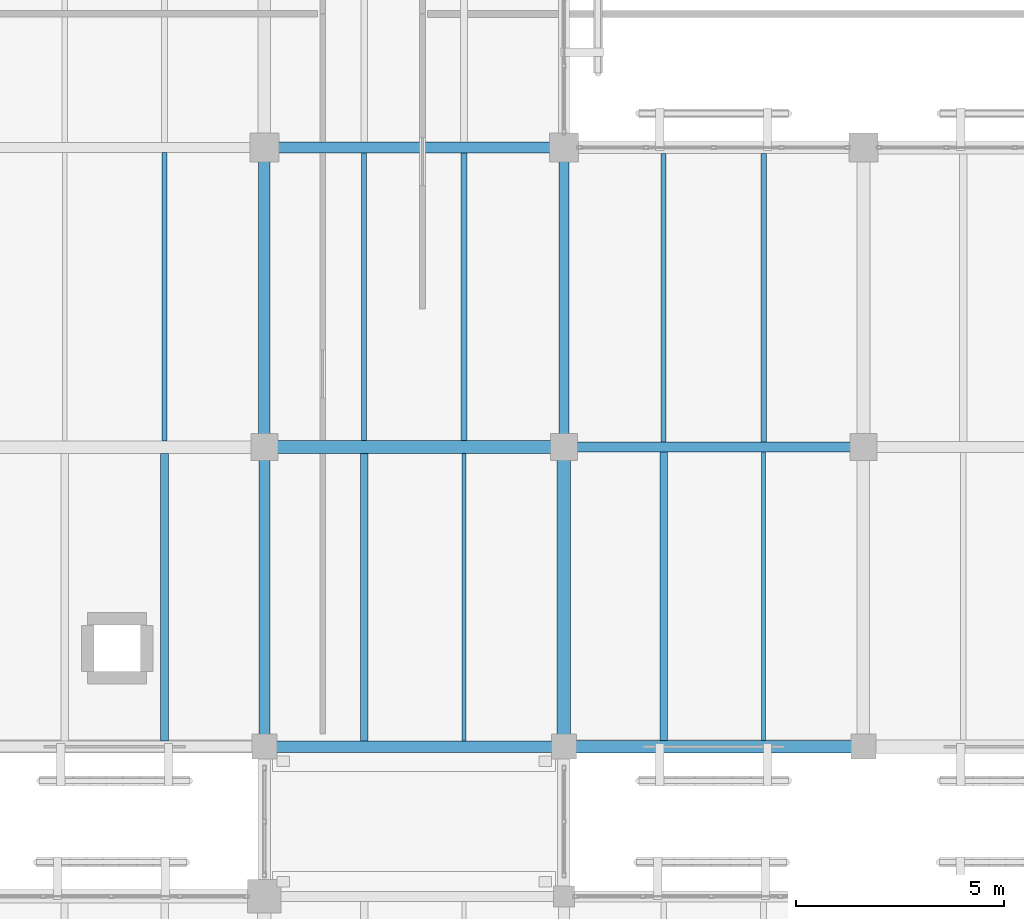
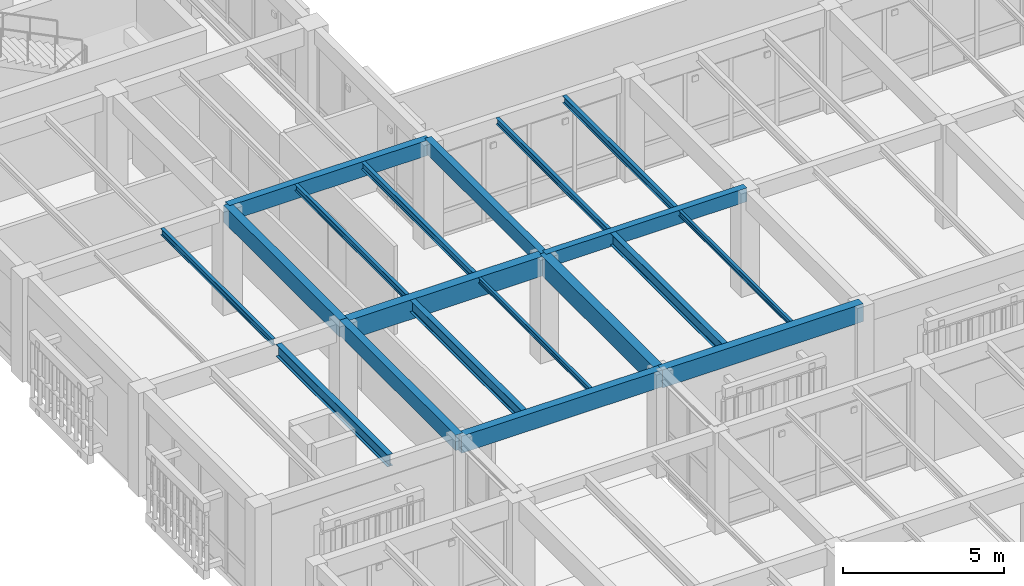
# One storey, part 95 of 170: 19 beams.
"""IFC4 building model written with IfcOpenShell, lengths in metres."""

from ifc_helpers import new_model, si_unit, direction, frame, origin, origin_2d, place, context, subcontext, project, spatial, rectangle, i_section, extrude, material, material_profile, profile_set, type_object, element, save


model = new_model("IFC4")

# Units and contexts
model_context = context("Model", 3, precision=1e-05, world=origin(), true_north=direction((0.0, 1.0)))
body_context = subcontext(model_context, "Body", "Model", "MODEL_VIEW")
ifc_project = project(units=[si_unit("LENGTHUNIT", "METRE"), si_unit("AREAUNIT", "SQUARE_METRE"), si_unit("VOLUMEUNIT", "CUBIC_METRE"), si_unit("PLANEANGLEUNIT", "RADIAN"), si_unit("MASSUNIT", "GRAM", prefix="KILO")], contexts=[model_context])

# Site, building, storey
site_placement = place(None, origin())
site = spatial("IfcSite", under=ifc_project, at=site_placement, CompositionType="ELEMENT")
building_placement = place(site_placement, origin())
building = spatial("IfcBuilding", under=site, at=building_placement, Name="Mazaris Harbour Polytechnic", CompositionType="ELEMENT")
storey_placement = place(building_placement, frame((0.0, 0.0, 5.39990234375)))
storey = spatial("IfcBuildingStorey", under=building, at=storey_placement, Name="L01", CompositionType="ELEMENT", Elevation=5.39990234375)

# Beams
ifc_material_1 = material(Name="Glulam GL32h", Category="wood")
ifc_material_profile_1 = material_profile(ifc_material_1, rectangle(XDim=0.239990234375, YDim=0.52001953125, at=origin_2d()), Name="RECT240x520")
ifc_profile_set_1 = profile_set([ifc_material_profile_1], Name="Glulam GL32h")
beam_type_1 = type_object("IfcBeamType", Name="Glulam Girder 240x520", PredefinedType="BEAM", material=ifc_profile_set_1)
for number, where, z_axis, x_axis, name in (
    (1, (136.800048828125, 54.0, 3.66015625), (1.0, 0.0, 0.0), (0.0, 1.0, 0.0), "V5 L01 Girder 2915"),
    (2, (136.800048828125, 54.0, 3.66015625), (0.0, 1.0, 0.0), (-1.0, 0.0, 0.0), "V5 L01 Tie Girder 2985"),
):
    element("IfcBeam", number, at=place(storey_placement, frame(where, z_axis=z_axis, x_axis=x_axis)), inside=storey, type_object=beam_type_1, Name=name, PredefinedType="BEAM", context=body_context, shape_type="SweptSolid", body=[
        extrude(rectangle(XDim=0.239990234375, YDim=0.52001953125, at=origin_2d()), origin(), (0.0, 0.0, 1.0), 7.199951171875),
    ])
ifc_material_2 = material(Name="Glulam GL32h", Category="wood")
ifc_material_profile_2 = material_profile(ifc_material_2, rectangle(XDim=0.260009765625, YDim=0.580078125, at=origin_2d()), Name="RECT260x580")
ifc_profile_set_2 = profile_set([ifc_material_profile_2], Name="Glulam GL32h")
beam_type_2 = type_object("IfcBeamType", Name="Glulam Girder 260x580", PredefinedType="BEAM", material=ifc_profile_set_2)
for number, where, z_axis, x_axis, name in (
    (3, (129.60009765625, 61.199951171875, 3.630126953125), (1.0, 0.0, 0.0), (0.0, 1.0, 0.0), "V5 L01 Girder 2921"),
    (4, (129.60009765625, 46.800048828125, 3.630126953125), (0.0, 1.0, 0.0), (-1.0, 0.0, 0.0), "V5 L01 Tie Girder 2976"),
):
    element("IfcBeam", number, at=place(storey_placement, frame(where, z_axis=z_axis, x_axis=x_axis)), inside=storey, type_object=beam_type_2, Name=name, PredefinedType="BEAM", context=body_context, shape_type="SweptSolid", body=[
        extrude(rectangle(XDim=0.260009765625, YDim=0.580078125, at=origin_2d()), origin(), (0.0, 0.0, 1.0), 7.199951171875),
    ])
ifc_material_3 = material(Name="Glulam GL32h", Category="wood")
ifc_material_profile_3 = material_profile(ifc_material_3, rectangle(XDim=0.280029296875, YDim=0.639892578125, at=origin_2d()), Name="RECT280x640")
ifc_profile_set_3 = profile_set([ifc_material_profile_3], Name="Glulam GL32h")
beam_type_3 = type_object("IfcBeamType", Name="Glulam Girder 280x640", PredefinedType="BEAM", material=ifc_profile_set_3)
beam_1_placement = place(storey_placement, frame((129.60009765625, 54.0, 3.60009765625), z_axis=(0.0, 1.0, 0.0), x_axis=(-1.0, 0.0, 0.0)))
element("IfcBeam", 5, at=beam_1_placement, inside=storey, type_object=beam_type_3, Name="V5 L01 Tie Girder 2977", PredefinedType="BEAM", context=body_context, shape_type="SweptSolid", body=[
    extrude(rectangle(XDim=0.280029296875, YDim=0.639892578125, at=origin_2d()), origin(), (0.0, 0.0, 1.0), 7.199951171875),
])
ifc_material_4 = material(Name="Glulam GL32h", Category="wood")
ifc_material_profile_4 = material_profile(ifc_material_4, rectangle(XDim=0.280029296875, YDim=0.639892578125, at=origin_2d()), Name="RECT280x640")
ifc_profile_set_4 = profile_set([ifc_material_profile_4], Name="Glulam GL32h")
beam_type_4 = type_object("IfcBeamType", Name="Glulam Girder 280x640 Exterior", PredefinedType="BEAM", material=ifc_profile_set_4)
beam_2_placement = place(storey_placement, frame((129.60009765625, 46.800048828125, 3.60009765625), z_axis=(1.0, 0.0, 0.0), x_axis=(0.0, 1.0, 0.0)))
element("IfcBeam", 6, at=beam_2_placement, inside=storey, type_object=beam_type_4, Name="V5 L01 Girder 2907", PredefinedType="BEAM", context=body_context, shape_type="SweptSolid", body=[
    extrude(rectangle(XDim=0.280029296875, YDim=0.639892578125, at=origin_2d()), origin(), (0.0, 0.0, 1.0), 7.199951171875),
])
ifc_material_5 = material(Name="Glulam GL32h", Category="wood")
ifc_material_profile_5 = material_profile(ifc_material_5, rectangle(XDim=0.300048828125, YDim=0.679931640625, at=origin_2d()), Name="RECT300x680")
ifc_profile_set_5 = profile_set([ifc_material_profile_5], Name="Glulam GL32h")
beam_type_5 = type_object("IfcBeamType", Name="Glulam Girder 300x680 Exterior", PredefinedType="BEAM", material=ifc_profile_set_5)
beam_3_placement = place(storey_placement, frame((136.800048828125, 46.800048828125, 3.580078125), z_axis=(1.0, 0.0, 0.0), x_axis=(0.0, 1.0, 0.0)))
element("IfcBeam", 7, at=beam_3_placement, inside=storey, type_object=beam_type_5, Name="V5 L01 Girder 2908", PredefinedType="BEAM", context=body_context, shape_type="SweptSolid", body=[
    extrude(rectangle(XDim=0.300048828125, YDim=0.679931640625, at=origin_2d()), origin(), (0.0, 0.0, 1.0), 7.199951171875),
])
ifc_material_6 = material(Name="Glulam GL32h", Category="wood")
ifc_material_profile_6 = material_profile(ifc_material_6, rectangle(XDim=0.320068359375, YDim=0.739990234375, at=origin_2d()), Name="RECT320x740")
ifc_profile_set_6 = profile_set([ifc_material_profile_6], Name="Glulam GL32h")
beam_type_6 = type_object("IfcBeamType", Name="Glulam Girder 320x740", PredefinedType="BEAM", material=ifc_profile_set_6)
for number, where, z_axis, x_axis, name in (
    (8, (129.60009765625, 54.0, 3.550048828125), (1.0, 0.0, 0.0), (0.0, 1.0, 0.0), "V5 L01 Girder 2914"),
    (9, (136.800048828125, 46.800048828125, 3.550048828125), (0.0, 1.0, 0.0), (-1.0, 0.0, 0.0), "V5 L01 Tie Girder 2984"),
):
    element("IfcBeam", number, at=place(storey_placement, frame(where, z_axis=z_axis, x_axis=x_axis)), inside=storey, type_object=beam_type_6, Name=name, PredefinedType="BEAM", context=body_context, shape_type="SweptSolid", body=[
        extrude(rectangle(XDim=0.320068359375, YDim=0.739990234375, at=origin_2d()), origin(), (0.0, 0.0, 1.0), 7.199951171875),
    ])
ifc_material_7 = material(Name="Steel S355", Category="steel")
ifc_material_profile_7 = material_profile(ifc_material_7, i_section(OverallWidth=0.10009765625, OverallDepth=0.199951171875, WebThickness=0.005615234375, FlangeThickness=0.008544921875, FilletRadius=0.011962890625, at=origin_2d()), Name="IPE 200")
ifc_profile_set_7 = profile_set([ifc_material_profile_7], Name="Steel S355")
beam_type_7 = type_object("IfcBeamType", Name="Steel Joist IPE200", PredefinedType="JOIST", material=ifc_profile_set_7)
beam_4_placement = place(storey_placement, frame((134.39990234375, 46.93994140625, 3.820068359375), z_axis=(0.0, 1.0, 0.0), x_axis=(-1.0, 0.0, 0.0)))
element("IfcBeam", 10, at=beam_4_placement, inside=storey, type_object=beam_type_7, Name="V5 L01 Floor Joist 3045", PredefinedType="JOIST", context=body_context, shape_type="SweptSolid", body=[
    extrude(i_section(OverallWidth=0.10009765625, OverallDepth=0.199951171875, WebThickness=0.005615234375, FlangeThickness=0.008544921875, FilletRadius=0.011962890625, at=origin_2d()), origin(), (0.0, 0.0, 1.0), 6.900146484375),
])
beam_5_placement = place(storey_placement, frame((141.60009765625, 46.949951171875, 3.820068359375), z_axis=(0.0, 1.0, 0.0), x_axis=(-1.0, 0.0, 0.0)))
element("IfcBeam", 11, at=beam_5_placement, inside=storey, type_object=beam_type_7, Name="V5 L01 Floor Joist 3059", PredefinedType="JOIST", context=body_context, shape_type="SweptSolid", body=[
    extrude(i_section(OverallWidth=0.10009765625, OverallDepth=0.199951171875, WebThickness=0.005615234375, FlangeThickness=0.008544921875, FilletRadius=0.011962890625, at=origin_2d()), origin(), (0.0, 0.0, 1.0), 6.929931640625),
])
ifc_material_8 = material(Name="Steel S355", Category="steel")
ifc_material_profile_8 = material_profile(ifc_material_8, i_section(OverallWidth=0.1201171875, OverallDepth=0.239990234375, WebThickness=0.006103515625, FlangeThickness=0.009765625, FilletRadius=0.014892578125, at=origin_2d()), Name="IPE 240")
ifc_profile_set_8 = profile_set([ifc_material_profile_8], Name="Steel S355")
beam_type_8 = type_object("IfcBeamType", Name="Steel Joist IPE240", PredefinedType="JOIST", material=ifc_profile_set_8)
beam_6_placement = place(storey_placement, frame((127.199951171875, 54.14990234375, 3.800048828125), z_axis=(0.0, 1.0, 0.0), x_axis=(-1.0, 0.0, 0.0)))
element("IfcBeam", 12, at=beam_6_placement, inside=storey, type_object=beam_type_8, Name="V5 L01 Floor Joist 3032", PredefinedType="JOIST", context=body_context, shape_type="SweptSolid", body=[
    extrude(i_section(OverallWidth=0.1201171875, OverallDepth=0.239990234375, WebThickness=0.006103515625, FlangeThickness=0.009765625, FilletRadius=0.014892578125, at=origin_2d()), origin(), (0.0, 0.0, 1.0), 6.93017578125),
])
beam_7_placement = place(storey_placement, frame((132.0, 54.159912109375, 3.800048828125), z_axis=(0.0, 1.0, 0.0), x_axis=(-1.0, 0.0, 0.0)))
element("IfcBeam", 13, at=beam_7_placement, inside=storey, type_object=beam_type_8, Name="V5 L01 Floor Joist 3046", PredefinedType="JOIST", context=body_context, shape_type="SweptSolid", body=[
    extrude(i_section(OverallWidth=0.1201171875, OverallDepth=0.239990234375, WebThickness=0.006103515625, FlangeThickness=0.009765625, FilletRadius=0.014892578125, at=origin_2d()), origin(), (0.0, 0.0, 1.0), 6.91015625),
])
beam_8_placement = place(storey_placement, frame((139.199951171875, 54.1201171875, 3.800048828125), z_axis=(0.0, 1.0, 0.0), x_axis=(-1.0, 0.0, 0.0)))
element("IfcBeam", 14, at=beam_8_placement, inside=storey, type_object=beam_type_8, Name="V5 L01 Floor Joist 3060", PredefinedType="JOIST", context=body_context, shape_type="SweptSolid", body=[
    extrude(i_section(OverallWidth=0.1201171875, OverallDepth=0.239990234375, WebThickness=0.006103515625, FlangeThickness=0.009765625, FilletRadius=0.014892578125, at=origin_2d()), origin(), (0.0, 0.0, 1.0), 6.93994140625),
])
ifc_material_9 = material(Name="Steel S355", Category="steel")
ifc_material_profile_9 = material_profile(ifc_material_9, i_section(OverallWidth=0.135009765625, OverallDepth=0.27001953125, WebThickness=0.006591796875, FlangeThickness=0.01025390625, FilletRadius=0.014892578125, at=origin_2d()), Name="IPE 270")
ifc_profile_set_9 = profile_set([ifc_material_profile_9], Name="Steel S355")
beam_type_9 = type_object("IfcBeamType", Name="Steel Joist IPE270", PredefinedType="JOIST", material=ifc_profile_set_9)
beam_9_placement = place(storey_placement, frame((134.39990234375, 54.159912109375, 3.78515625), z_axis=(0.0, 1.0, 0.0), x_axis=(-1.0, 0.0, 0.0)))
element("IfcBeam", 15, at=beam_9_placement, inside=storey, type_object=beam_type_9, Name="V5 L01 Floor Joist 3047", PredefinedType="JOIST", context=body_context, shape_type="SweptSolid", body=[
    extrude(i_section(OverallWidth=0.135009765625, OverallDepth=0.27001953125, WebThickness=0.006591796875, FlangeThickness=0.01025390625, FilletRadius=0.014892578125, at=origin_2d()), origin(), (0.0, 0.0, 1.0), 6.91015625),
])
beam_10_placement = place(storey_placement, frame((141.60009765625, 54.1201171875, 3.78515625), z_axis=(0.0, 1.0, 0.0), x_axis=(-1.0, 0.0, 0.0)))
element("IfcBeam", 16, at=beam_10_placement, inside=storey, type_object=beam_type_9, Name="V5 L01 Floor Joist 3061", PredefinedType="JOIST", context=body_context, shape_type="SweptSolid", body=[
    extrude(i_section(OverallWidth=0.135009765625, OverallDepth=0.27001953125, WebThickness=0.006591796875, FlangeThickness=0.01025390625, FilletRadius=0.014892578125, at=origin_2d()), origin(), (0.0, 0.0, 1.0), 6.93994140625),
])
ifc_material_10 = material(Name="Steel S355", Category="steel")
ifc_material_profile_10 = material_profile(ifc_material_10, i_section(OverallWidth=0.18994140625, OverallDepth=0.449951171875, WebThickness=0.009521484375, FlangeThickness=0.0146484375, FilletRadius=0.02099609375, at=origin_2d()), Name="IPE 450")
ifc_profile_set_10 = profile_set([ifc_material_profile_10], Name="Steel S355")
beam_type_10 = type_object("IfcBeamType", Name="Steel Joist IPE450", PredefinedType="JOIST", material=ifc_profile_set_10)
beam_11_placement = place(storey_placement, frame((127.199951171875, 46.929931640625, 3.695068359375), z_axis=(0.0, 1.0, 0.0), x_axis=(-1.0, 0.0, 0.0)))
element("IfcBeam", 17, at=beam_11_placement, inside=storey, type_object=beam_type_10, Name="V5 L01 Floor Joist 3030", PredefinedType="JOIST", context=body_context, shape_type="SweptSolid", body=[
    extrude(i_section(OverallWidth=0.18994140625, OverallDepth=0.449951171875, WebThickness=0.009521484375, FlangeThickness=0.0146484375, FilletRadius=0.02099609375, at=origin_2d()), origin(), (0.0, 0.0, 1.0), 6.920166015625),
])
beam_12_placement = place(storey_placement, frame((132.0, 46.93994140625, 3.695068359375), z_axis=(0.0, 1.0, 0.0), x_axis=(-1.0, 0.0, 0.0)))
element("IfcBeam", 18, at=beam_12_placement, inside=storey, type_object=beam_type_10, Name="V5 L01 Floor Joist 3044", PredefinedType="JOIST", context=body_context, shape_type="SweptSolid", body=[
    extrude(i_section(OverallWidth=0.18994140625, OverallDepth=0.449951171875, WebThickness=0.009521484375, FlangeThickness=0.0146484375, FilletRadius=0.02099609375, at=origin_2d()), origin(), (0.0, 0.0, 1.0), 6.900146484375),
])
beam_13_placement = place(storey_placement, frame((139.199951171875, 46.949951171875, 3.695068359375), z_axis=(0.0, 1.0, 0.0), x_axis=(-1.0, 0.0, 0.0)))
element("IfcBeam", 19, at=beam_13_placement, inside=storey, type_object=beam_type_10, Name="V5 L01 Floor Joist 3058", PredefinedType="JOIST", context=body_context, shape_type="SweptSolid", body=[
    extrude(i_section(OverallWidth=0.18994140625, OverallDepth=0.449951171875, WebThickness=0.009521484375, FlangeThickness=0.0146484375, FilletRadius=0.02099609375, at=origin_2d()), origin(), (0.0, 0.0, 1.0), 6.929931640625),
])

save(model, "model.ifc")
